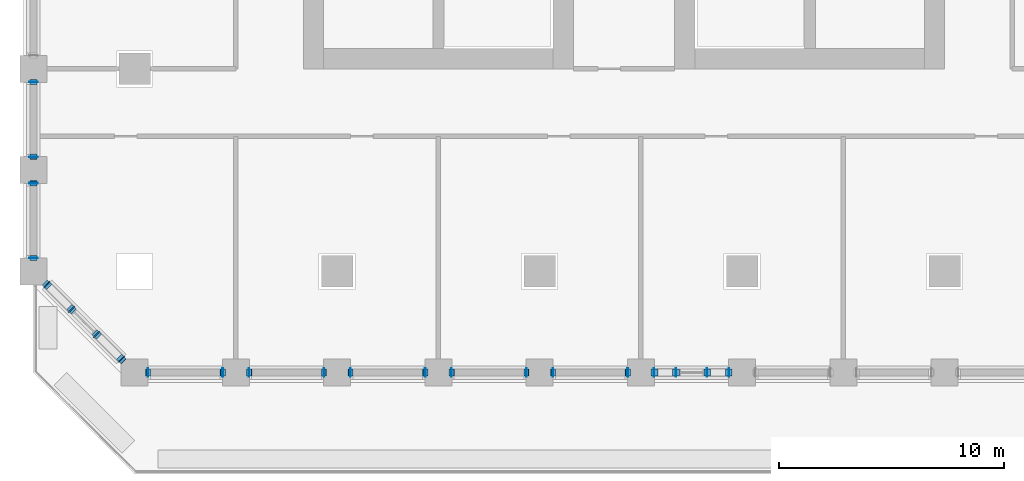
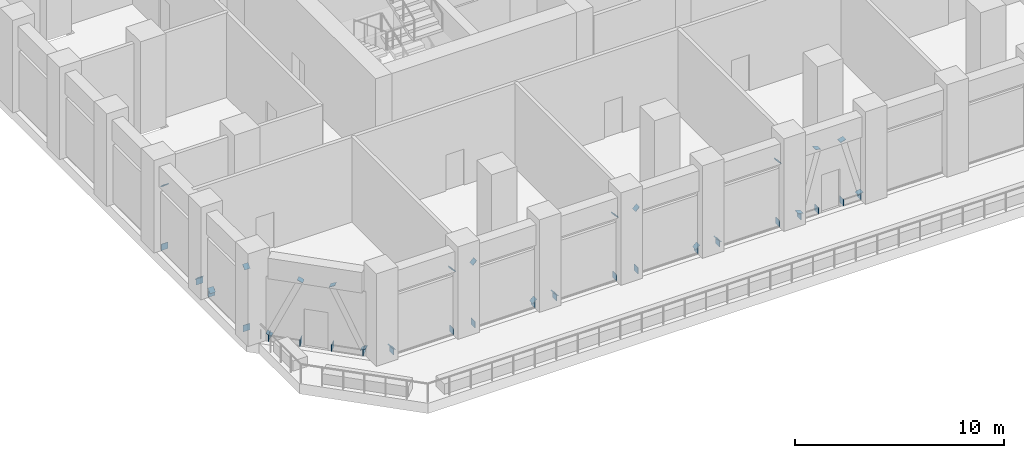
# One storey, part 8 of 20: 44 discrete accessories.
"""IFC4 building model written with IfcOpenShell, lengths in metres."""

from ifc_helpers import new_model, si_unit, direction, frame, origin, origin_2d, place, context, subcontext, project, spatial, rectangle, extrude, material, material_profile, profile_set, type_object, element, save


model = new_model("IFC4")

# Units and contexts
model_context = context("Model", 3, precision=1e-05, world=origin(), true_north=direction((0.0, 1.0)))
body_context = subcontext(model_context, "Body", "Model", "MODEL_VIEW")
ifc_project = project(units=[si_unit("LENGTHUNIT", "METRE"), si_unit("AREAUNIT", "SQUARE_METRE"), si_unit("VOLUMEUNIT", "CUBIC_METRE"), si_unit("PLANEANGLEUNIT", "RADIAN"), si_unit("MASSUNIT", "GRAM", prefix="KILO")], contexts=[model_context])

# Site, building, storey
site_placement = place(None, origin())
site = spatial("IfcSite", under=ifc_project, at=site_placement, CompositionType="ELEMENT")
building_placement = place(site_placement, origin())
building = spatial("IfcBuilding", under=site, at=building_placement, Name="Corbel Stack Research Tower", CompositionType="ELEMENT")
storey_placement = place(building_placement, frame((0.0, 0.0, 76.60009765625)))
storey = spatial("IfcBuildingStorey", under=building, at=storey_placement, Name="L17", CompositionType="ELEMENT", Elevation=76.60009765625)

# Discrete accessories
ifc_material_1 = material(Name="Steel S355", Category="steel")
ifc_material_profile_1 = material_profile(ifc_material_1, rectangle(XDim=0.304931640625, YDim=0.304931640625, at=origin_2d()), Name="End plate 305x305x25")
ifc_profile_set_1 = profile_set([ifc_material_profile_1], Name="Steel S355")
discrete_accessory_type_1 = type_object("IfcDiscreteAccessoryType", Name="End plate 305x305x25", PredefinedType="ANCHORPLATE", material=ifc_profile_set_1)
for number, where, z_axis, x_axis, name in (
    (1, (-17.39990234375, -22.5, 0.371826171875), (-0.702213483406, 0.0, -0.711966448453), (0.0, -1.0, 0.0), "Belt truss end plate L17-01d1"),
    (2, (-14.10009765625, -22.5, 3.75), (0.702213483406, 0.0, 0.711966448453), (0.0, 1.0, 0.0), "Belt truss end plate L17-01d2"),
    (3, (-9.60009765625, -22.5, 0.371826171875), (0.702213483406, 0.0, -0.711966448453), (0.0, 1.0, 0.0), "Belt truss end plate L17-02d1"),
    (4, (-12.89990234375, -22.5, 3.75), (-0.702213483406, 0.0, 0.711966448453), (0.0, -1.0, 0.0), "Belt truss end plate L17-02d2"),
    (5, (-8.39990234375, -22.5, 0.371826171875), (-0.702213483406, 0.0, -0.711966448453), (0.0, -1.0, 0.0), "Belt truss end plate L17-03d1"),
    (6, (-5.10009765625, -22.5, 3.75), (0.702213483406, 0.0, 0.711966448453), (0.0, 1.0, 0.0), "Belt truss end plate L17-03d2"),
    (7, (-0.60009765625, -22.5, 0.371826171875), (0.702213483406, 0.0, -0.711966448453), (0.0, 1.0, 0.0), "Belt truss end plate L17-04d1"),
    (8, (-3.89990234375, -22.5, 3.75), (-0.702213483406, 0.0, 0.711966448453), (0.0, -1.0, 0.0), "Belt truss end plate L17-04d2"),
    (9, (0.60009765625, -22.5, 0.371826171875), (-0.702213483406, 0.0, -0.711966448453), (0.0, -1.0, 0.0), "Belt truss end plate L17-05d1"),
    (10, (3.89990234375, -22.5, 3.75), (0.702213483406, 0.0, 0.711966448453), (0.0, 1.0, 0.0), "Belt truss end plate L17-05d2"),
):
    element("IfcDiscreteAccessory", number, at=place(storey_placement, frame(where, z_axis=z_axis, x_axis=x_axis)), inside=storey, type_object=discrete_accessory_type_1, Name=name, PredefinedType="ANCHORPLATE", context=body_context, shape_type="SweptSolid", body=[
        extrude(rectangle(XDim=0.304931640625, YDim=0.304931640625, at=origin_2d()), origin(), (0.0, 0.0, 1.0), 0.025146484375),
    ])
for number, where, z_axis, x_axis, name in (
    (11, (5.10009765625, -22.5, 0.371826171875), (-0.274721127897, 0.0, -0.961523947641), (0.0, -1.0, 0.0), "Belt truss end plate L17-06ad1"),
    (12, (6.050048828125, -22.5, 3.75), (0.274721127897, 0.0, 0.961523947641), (0.0, 1.0, 0.0), "Belt truss end plate L17-06ad2"),
    (13, (8.39990234375, -22.5, 0.371826171875), (0.274721127897, 0.0, -0.961523947641), (0.0, 1.0, 0.0), "Belt truss end plate L17-06bd1"),
    (14, (7.449951171875, -22.5, 3.75), (-0.274721127897, 0.0, 0.961523947641), (0.0, -1.0, 0.0), "Belt truss end plate L17-06bd2"),
):
    element("IfcDiscreteAccessory", number, at=place(storey_placement, frame(where, z_axis=z_axis, x_axis=x_axis)), inside=storey, type_object=discrete_accessory_type_1, Name=name, PredefinedType="ANCHORPLATE", context=body_context, shape_type="SweptSolid", body=[
        extrude(rectangle(XDim=0.304931640625, YDim=0.304931640625, at=origin_2d()), origin(), (0.0, 0.0, 1.0), 0.02490234375),
    ])
for number, where, z_axis, x_axis, name in (
    (15, (-22.5, -12.89990234375, 0.371826171875), (0.0, -0.702213483406, -0.711966448453), (1.0, 0.0, 0.0), "Belt truss end plate L17-40d1"),
    (16, (-22.5, -9.60009765625, 3.75), (0.0, 0.702213483406, 0.711966448453), (-1.0, 0.0, 0.0), "Belt truss end plate L17-40d2"),
    (17, (-22.5, -14.10009765625, 0.371826171875), (0.0, 0.702213483406, -0.711966448453), (-1.0, 0.0, 0.0), "Belt truss end plate L17-41d1"),
    (18, (-22.5, -17.39990234375, 3.75), (0.0, -0.702213483406, 0.711966448453), (1.0, 0.0, 0.0), "Belt truss end plate L17-41d2"),
):
    element("IfcDiscreteAccessory", number, at=place(storey_placement, frame(where, z_axis=z_axis, x_axis=x_axis)), inside=storey, type_object=discrete_accessory_type_1, Name=name, PredefinedType="ANCHORPLATE", context=body_context, shape_type="SweptSolid", body=[
        extrude(rectangle(XDim=0.304931640625, YDim=0.304931640625, at=origin_2d()), origin(), (0.0, 0.0, 1.0), 0.025146484375),
    ])
for number, where, z_axis, x_axis, name in (
    (19, (-21.89990234375, -18.60009765625, 0.371826171875), (-0.293483635442, 0.293483635442, -0.90979926987), (-0.707106781187, -0.707106781187, 0.0), "Belt truss end plate L17-42ad1"),
    (20, (-20.815673828125, -19.684326171875, 3.75), (0.293483635442, -0.293483635442, 0.90979926987), (0.707106781187, 0.707106781187, 0.0), "Belt truss end plate L17-42ad2"),
    (21, (-18.60009765625, -21.89990234375, 0.371826171875), (0.293483635442, -0.293483635442, -0.90979926987), (0.707106781187, 0.707106781187, 0.0), "Belt truss end plate L17-42bd1"),
    (22, (-19.684326171875, -20.815673828125, 3.75), (-0.293483635442, 0.293483635442, 0.90979926987), (-0.707106781187, -0.707106781187, 0.0), "Belt truss end plate L17-42bd2"),
):
    element("IfcDiscreteAccessory", number, at=place(storey_placement, frame(where, z_axis=z_axis, x_axis=x_axis)), inside=storey, type_object=discrete_accessory_type_1, Name=name, PredefinedType="ANCHORPLATE", context=body_context, shape_type="SweptSolid", body=[
        extrude(rectangle(XDim=0.304931640625, YDim=0.304931640625, at=origin_2d()), origin(), (0.0, 0.0, 1.0), 0.02490234375),
    ])
ifc_material_2 = material(Name="Steel S355", Category="steel")
ifc_material_profile_2 = material_profile(ifc_material_2, rectangle(XDim=0.3740234375, YDim=0.3720703125, at=origin_2d()), Name="End plate 374x372x25")
ifc_profile_set_2 = profile_set([ifc_material_profile_2], Name="Steel S355")
discrete_accessory_type_2 = type_object("IfcDiscreteAccessoryType", Name="End plate 374x372x25", PredefinedType="ANCHORPLATE", material=ifc_profile_set_2)
for number, where, z_axis, x_axis, name in (
    (23, (-17.39990234375, -22.5, 0.185791015625), (-1.0, 0.0, 0.0), (0.0, -1.0, 0.0), "Belt truss end plate L17-01c1"),
    (24, (-14.10009765625, -22.5, 0.185791015625), (1.0, 0.0, 0.0), (0.0, 1.0, 0.0), "Belt truss end plate L17-01c2"),
    (25, (-12.89990234375, -22.5, 0.185791015625), (-1.0, 0.0, 0.0), (0.0, -1.0, 0.0), "Belt truss end plate L17-02c1"),
    (26, (-9.60009765625, -22.5, 0.185791015625), (1.0, 0.0, 0.0), (0.0, 1.0, 0.0), "Belt truss end plate L17-02c2"),
    (27, (-8.39990234375, -22.5, 0.185791015625), (-1.0, 0.0, 0.0), (0.0, -1.0, 0.0), "Belt truss end plate L17-03c1"),
    (28, (-5.10009765625, -22.5, 0.185791015625), (1.0, 0.0, 0.0), (0.0, 1.0, 0.0), "Belt truss end plate L17-03c2"),
    (29, (-3.89990234375, -22.5, 0.185791015625), (-1.0, 0.0, 0.0), (0.0, -1.0, 0.0), "Belt truss end plate L17-04c1"),
    (30, (-0.60009765625, -22.5, 0.185791015625), (1.0, 0.0, 0.0), (0.0, 1.0, 0.0), "Belt truss end plate L17-04c2"),
    (31, (0.60009765625, -22.5, 0.185791015625), (-1.0, 0.0, 0.0), (0.0, -1.0, 0.0), "Belt truss end plate L17-05c1"),
    (32, (3.89990234375, -22.5, 0.185791015625), (1.0, 0.0, 0.0), (0.0, 1.0, 0.0), "Belt truss end plate L17-05c2"),
    (33, (5.10009765625, -22.5, 0.185791015625), (-1.0, 0.0, 0.0), (0.0, -1.0, 0.0), "Belt truss end plate L17-06ac1"),
):
    element("IfcDiscreteAccessory", number, at=place(storey_placement, frame(where, z_axis=z_axis, x_axis=x_axis)), inside=storey, type_object=discrete_accessory_type_2, Name=name, PredefinedType="ANCHORPLATE", context=body_context, shape_type="SweptSolid", body=[
        extrude(rectangle(XDim=0.3740234375, YDim=0.3720703125, at=origin_2d()), origin(), (0.0, 0.0, 1.0), 0.025146484375),
    ])
for number, where, z_axis, x_axis, name in (
    (34, (6.050048828125, -22.5, 0.185791015625), (1.0, 0.0, 0.0), (0.0, 1.0, 0.0), "Belt truss end plate L17-06ac2"),
    (35, (7.449951171875, -22.5, 0.185791015625), (-1.0, 0.0, 0.0), (0.0, -1.0, 0.0), "Belt truss end plate L17-06bc1"),
):
    element("IfcDiscreteAccessory", number, at=place(storey_placement, frame(where, z_axis=z_axis, x_axis=x_axis)), inside=storey, type_object=discrete_accessory_type_2, Name=name, PredefinedType="ANCHORPLATE", context=body_context, shape_type="SweptSolid", body=[
        extrude(rectangle(XDim=0.3740234375, YDim=0.3720703125, at=origin_2d()), origin(), (0.0, 0.0, 1.0), 0.02490234375),
    ])
for number, where, z_axis, x_axis, name in (
    (36, (8.39990234375, -22.5, 0.185791015625), (1.0, 0.0, 0.0), (0.0, 1.0, 0.0), "Belt truss end plate L17-06bc2"),
    (37, (-22.5, -9.60009765625, 0.185791015625), (0.0, 1.0, 0.0), (-1.0, 0.0, 0.0), "Belt truss end plate L17-40c1"),
    (38, (-22.5, -12.89990234375, 0.185791015625), (0.0, -1.0, 0.0), (1.0, 0.0, 0.0), "Belt truss end plate L17-40c2"),
    (39, (-22.5, -14.10009765625, 0.185791015625), (0.0, 1.0, 0.0), (-1.0, 0.0, 0.0), "Belt truss end plate L17-41c1"),
    (40, (-22.5, -17.39990234375, 0.185791015625), (0.0, -1.0, 0.0), (1.0, 0.0, 0.0), "Belt truss end plate L17-41c2"),
    (41, (-21.89990234375, -18.60009765625, 0.185791015625), (-0.707106781187, 0.707106781187, 0.0), (-0.707106781187, -0.707106781187, 0.0), "Belt truss end plate L17-42ac1"),
):
    element("IfcDiscreteAccessory", number, at=place(storey_placement, frame(where, z_axis=z_axis, x_axis=x_axis)), inside=storey, type_object=discrete_accessory_type_2, Name=name, PredefinedType="ANCHORPLATE", context=body_context, shape_type="SweptSolid", body=[
        extrude(rectangle(XDim=0.3740234375, YDim=0.3720703125, at=origin_2d()), origin(), (0.0, 0.0, 1.0), 0.025146484375),
    ])
for number, where, z_axis, x_axis, name in (
    (42, (-20.815673828125, -19.684326171875, 0.185791015625), (0.707106781187, -0.707106781187, 0.0), (0.707106781187, 0.707106781187, 0.0), "Belt truss end plate L17-42ac2"),
    (43, (-19.684326171875, -20.815673828125, 0.185791015625), (-0.707106781187, 0.707106781187, 0.0), (-0.707106781187, -0.707106781187, 0.0), "Belt truss end plate L17-42bc1"),
):
    element("IfcDiscreteAccessory", number, at=place(storey_placement, frame(where, z_axis=z_axis, x_axis=x_axis)), inside=storey, type_object=discrete_accessory_type_2, Name=name, PredefinedType="ANCHORPLATE", context=body_context, shape_type="SweptSolid", body=[
        extrude(rectangle(XDim=0.3740234375, YDim=0.3720703125, at=origin_2d()), origin(), (0.0, 0.0, 1.0), 0.02490234375),
    ])
discrete_accessory_placement = place(storey_placement, frame((-18.60009765625, -21.89990234375, 0.185791015625), z_axis=(0.707106781187, -0.707106781187, 0.0), x_axis=(0.707106781187, 0.707106781187, 0.0)))
element("IfcDiscreteAccessory", 44, at=discrete_accessory_placement, inside=storey, type_object=discrete_accessory_type_2, Name="Belt truss end plate L17-42bc2", PredefinedType="ANCHORPLATE", context=body_context, shape_type="SweptSolid", body=[
    extrude(rectangle(XDim=0.3740234375, YDim=0.3720703125, at=origin_2d()), origin(), (0.0, 0.0, 1.0), 0.025146484375),
])

save(model, "model.ifc")
